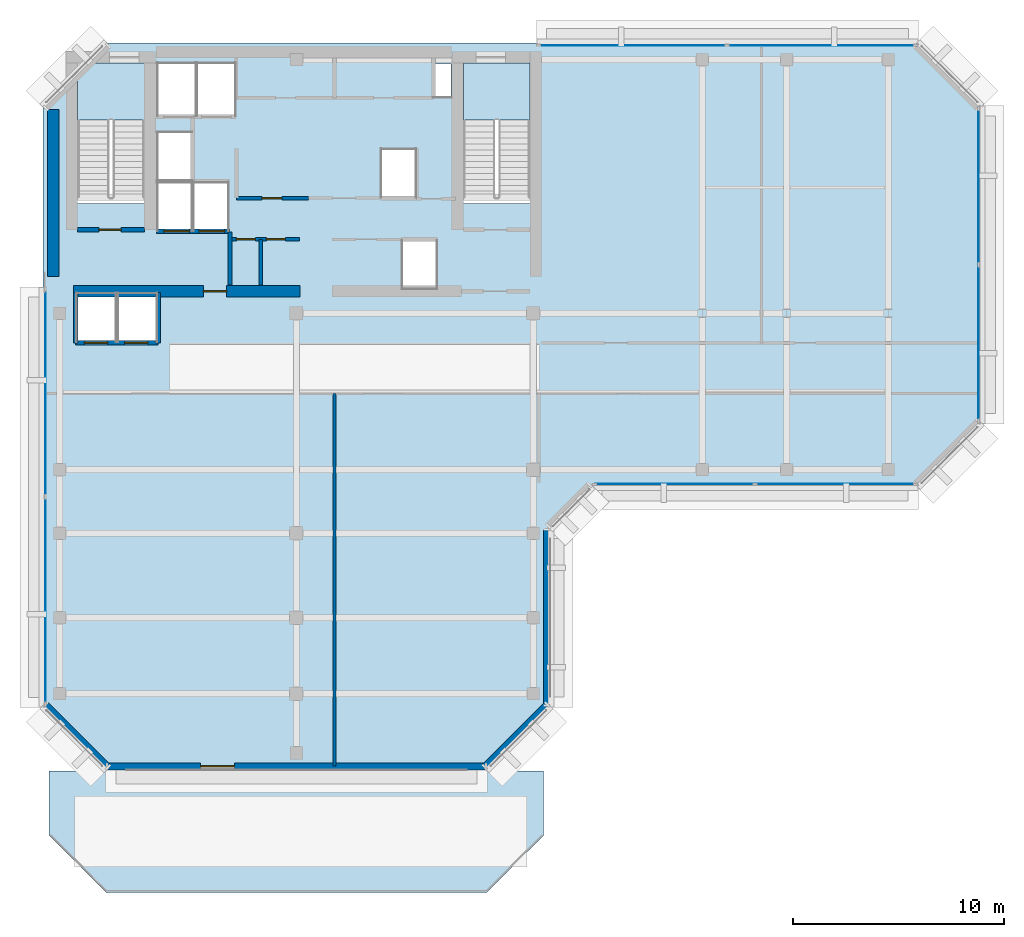
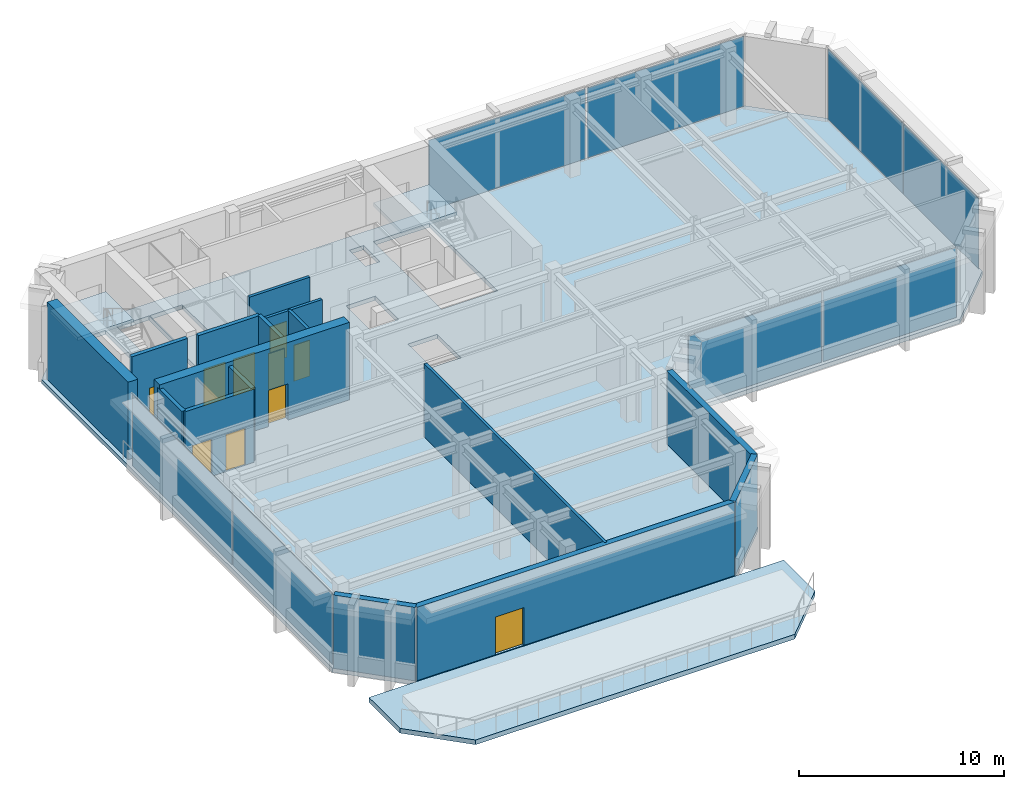
# One storey, part 4 of 11: 16 walls, 10 doors, 8 plates, 4 slabs, 10 openings, 6 elements without a shape of their own.
"""IFC4 building model written with IfcOpenShell, lengths in metres."""

from ifc_helpers import new_model, si_unit, direction, frame, frame_2d, origin, origin_2d, place, context, subcontext, project, spatial, polyline, rectangle, outline, extrude, material, layer, layer_set, type_object, element, fill, aggregate, save


model = new_model("IFC4")

# Units and contexts
model_context = context("Model", 3, precision=1e-05, world=origin(), true_north=direction((0.0, 1.0)))
body_context = subcontext(model_context, "Body", "Model", "MODEL_VIEW")
ifc_project = project(units=[si_unit("LENGTHUNIT", "METRE"), si_unit("AREAUNIT", "SQUARE_METRE"), si_unit("VOLUMEUNIT", "CUBIC_METRE"), si_unit("PLANEANGLEUNIT", "RADIAN"), si_unit("MASSUNIT", "GRAM", prefix="KILO")], contexts=[model_context])

# Site, building, storey
site_placement = place(None, origin())
site = spatial("IfcSite", under=ifc_project, at=site_placement, CompositionType="ELEMENT")
building_placement = place(site_placement, origin())
building = spatial("IfcBuilding", under=site, at=building_placement, Name="Kefirva Bronze Tower", CompositionType="ELEMENT")
storey_placement = place(building_placement, frame((0.0, 0.0, 347.489990234375)))
storey = spatial("IfcBuildingStorey", under=building, at=storey_placement, Name="L85", CompositionType="ELEMENT", Elevation=347.489990234375)

# Slab
ifc_material_1 = material(Name="Concrete C40/50", Category="concrete")
ifc_layer_1 = layer(ifc_material_1, 0.280029296875, Name="Concrete C40/50")
ifc_layer_set_1 = layer_set([ifc_layer_1], Name="Concrete C40/50")
slab_type_1 = type_object("IfcSlabType", Name="RC Setback Sky-Garden Terrace Slab 280mm", PredefinedType="ROOF", material=ifc_layer_set_1)
slab_1_placement = place(storey_placement, frame((0.0, 0.0, -0.280029296875)))
element("IfcSlab", 1, at=slab_1_placement, inside=storey, type_object=slab_type_1, Name="L85 Planted Sky-Garden Terrace Slab", PredefinedType="ROOF", context=body_context, shape_type="SweptSolid", body=[
    extrude(outline(polyline([(3.0, 5.800048828125), (21.0, 5.800048828125), (23.699951171875, 8.5), (23.699951171875, 11.550048828125), (0.300048828125, 11.550048828125), (0.300048828125, 8.5), (3.0, 5.800048828125)])), origin(), (0.0, 0.0, 1.0), 0.280029296875),
])

# Stair, slab
stair_type = type_object("IfcStairType", Name="RC Dogleg Protected Stair 28R", PredefinedType="HALF_TURN_STAIR", material=ifc_material_1)
stair_1_placement = place(storey_placement, origin())
stair_1 = element("IfcStair", 2, at=stair_1_placement, inside=storey, type_object=stair_type, Name="L85 Protected Exit Stair 1", PredefinedType="HALF_TURN_STAIR")
ifc_layer_2 = layer(ifc_material_1, 0.199951171875, Name="Concrete C40/50")
ifc_layer_set_2 = layer_set([ifc_layer_2], Name="Concrete C40/50")
slab_type_2 = type_object("IfcSlabType", Name="RC Stair Landing Slab 200mm", PredefinedType="LANDING", material=ifc_layer_set_2)
slab_2_placement = place(storey_placement, frame((0.0, 0.0, 2.110107421875)))
slab_2 = element("IfcSlab", 3, at=slab_2_placement, type_object=slab_type_2, Name="ST-1 landing 1", PredefinedType="LANDING", context=body_context, shape_type="SweptSolid", body=[
    extrude(outline(polyline([(4.800048828125, 42.340087890625), (4.800048828125, 45.050048828125), (1.64990234375, 45.050048828125), (1.64990234375, 42.340087890625), (4.800048828125, 42.340087890625)])), origin(), (0.0, 0.0, 1.0), 0.199951171875),
])
aggregate(stair_1, [slab_2])

stair_2_placement = place(storey_placement, origin())
stair_2 = element("IfcStair", 4, at=stair_2_placement, inside=storey, type_object=stair_type, Name="L85 Protected Exit Stair 2", PredefinedType="HALF_TURN_STAIR")
slab_3_placement = place(storey_placement, frame((0.0, 0.0, 2.110107421875)))
slab_3 = element("IfcSlab", 5, at=slab_3_placement, type_object=slab_type_2, Name="ST-2 landing 1", PredefinedType="LANDING", context=body_context, shape_type="SweptSolid", body=[
    extrude(outline(polyline([(23.050048828125, 42.340087890625), (23.050048828125, 45.050048828125), (19.89990234375, 45.050048828125), (19.89990234375, 42.340087890625), (23.050048828125, 42.340087890625)])), origin(), (0.0, 0.0, 1.0), 0.199951171875),
])
aggregate(stair_2, [slab_3])

# Slab
ifc_layer_3 = layer(ifc_material_1, 0.25, Name="Concrete C40/50")
ifc_layer_set_3 = layer_set([ifc_layer_3], Name="Concrete C40/50")
slab_type_3 = type_object("IfcSlabType", Name="RC Tower Floor Slab 250mm", PredefinedType="FLOOR", material=ifc_layer_set_3)
slab_4_placement = place(storey_placement, frame((0.0, 0.0, -0.25)))
element("IfcSlab", 6, at=slab_4_placement, inside=storey, type_object=slab_type_3, Name="L85 Structural Floor Slab", PredefinedType="FLOOR", context=body_context, shape_type="SweptSolid", body=[
    extrude(outline(polyline([(0.0, 14.60009765625), (0.0, 43.0), (1.64990234375, 44.64990234375), (1.64990234375, 38.39990234375), (4.800048828125, 38.39990234375), (4.800048828125, 45.050048828125), (2.050048828125, 45.050048828125), (3.0, 46.0), (41.39990234375, 46.0), (44.39990234375, 43.0), (44.39990234375, 28.0), (41.39990234375, 25.0), (26.0, 25.0), (24.0, 23.0), (24.0, 14.60009765625), (21.0, 11.60009765625), (3.0, 11.60009765625), (0.0, 14.60009765625)]), holes=[polyline([(23.050048828125, 45.050048828125), (19.89990234375, 45.050048828125), (19.89990234375, 38.39990234375), (23.050048828125, 38.39990234375), (23.050048828125, 45.050048828125)]), polyline([(19.320068359375, 43.419921875), (19.320068359375, 45.0), (18.52001953125, 45.0), (18.52001953125, 43.419921875), (19.320068359375, 43.419921875)]), polyline([(18.64990234375, 36.64990234375), (17.0, 36.64990234375), (17.0, 34.35009765625), (18.64990234375, 34.35009765625), (18.64990234375, 36.64990234375)]), polyline([(17.64990234375, 38.679931640625), (17.64990234375, 40.97998046875), (16.0, 40.97998046875), (16.0, 38.679931640625), (17.64990234375, 38.679931640625)]), polyline([(9.1201171875, 42.550048828125), (9.1201171875, 45.050048828125), (7.300048828125, 45.050048828125), (7.300048828125, 42.550048828125), (9.1201171875, 42.550048828125)]), polyline([(8.780029296875, 37.10009765625), (8.780029296875, 39.39990234375), (7.139892578125, 39.39990234375), (7.139892578125, 37.10009765625), (8.780029296875, 37.10009765625)]), polyline([(7.239990234375, 42.550048828125), (7.239990234375, 45.050048828125), (5.419921875, 45.050048828125), (5.419921875, 42.550048828125), (7.239990234375, 42.550048828125)]), polyline([(7.06005859375, 37.10009765625), (7.06005859375, 39.39990234375), (5.419921875, 39.39990234375), (5.419921875, 37.10009765625), (7.06005859375, 37.10009765625)]), polyline([(7.06005859375, 41.780029296875), (5.419921875, 41.780029296875), (5.419921875, 39.47998046875), (7.06005859375, 39.47998046875), (7.06005859375, 41.780029296875)]), polyline([(5.39990234375, 31.85009765625), (5.39990234375, 34.14990234375), (3.550048828125, 34.14990234375), (3.550048828125, 31.85009765625), (5.39990234375, 31.85009765625)]), polyline([(3.449951171875, 34.14990234375), (1.60009765625, 34.14990234375), (1.60009765625, 31.85009765625), (3.449951171875, 31.85009765625), (3.449951171875, 34.14990234375)])]), origin(), (0.0, 0.0, 1.0), 0.25),
])

# Curtain wall, plates
ifc_material_2 = material(Name="Bronze anodised aluminium", Category="aluminium")
ifc_layer_4 = layer(ifc_material_2, 0.219970703125, Name="Bronze anodised aluminium")
ifc_layer_set_4 = layer_set([ifc_layer_4], Name="Bronze anodised aluminium")
curtain_wall_type = type_object("IfcCurtainWallType", Name="Slanted Crown Faceted Bronze Curtain Wall", PredefinedType="USERDEFINED", material=ifc_layer_set_4)
curtain_wall_1_placement = place(storey_placement, origin())
curtain_wall_1 = element("IfcCurtainWall", 7, at=curtain_wall_1_placement, inside=storey, type_object=curtain_wall_type, Name="L85 Curtain Wall 1", ObjectType="UNITISED CURTAIN WALL", PredefinedType="USERDEFINED")
ifc_material_3 = material(Name="Laminated low-E double glazing", Category="glass")
ifc_layer_5 = layer(ifc_material_3, 0.031982421875, Name="Laminated low-E double glazing")
ifc_layer_set_5 = layer_set([ifc_layer_5], Name="Laminated low-E double glazing")
plate_type = type_object("IfcPlateType", Name="Solar-Control Low-E Vision Panel 32mm", PredefinedType="CURTAIN_PANEL", material=ifc_layer_set_5)
plate_1_placement = place(storey_placement, frame((29.89990234375, 25.1201171875, 0.090087890625), z_axis=(0.0, 0.0, 1.0), x_axis=(1.0, 0.0, 0.0)))
plate_1 = element("IfcPlate", 8, at=plate_1_placement, type_object=plate_type, Name="CW-07 panel 1.1", PredefinedType="CURTAIN_PANEL", context=body_context, shape_type="SweptSolid", body=[
    extrude(rectangle(XDim=7.510009765625, YDim=0.031982421875, at=origin_2d()), origin(), (0.0, 0.0, 1.0), 4.18994140625),
])
plate_2_placement = place(storey_placement, frame((37.5, 25.1201171875, 0.090087890625), z_axis=(0.0, 0.0, 1.0), x_axis=(1.0, 0.0, 0.0)))
plate_2 = element("IfcPlate", 9, at=plate_2_placement, type_object=plate_type, Name="CW-07 panel 2.1", PredefinedType="CURTAIN_PANEL", context=body_context, shape_type="SweptSolid", body=[
    extrude(rectangle(XDim=7.510009765625, YDim=0.031982421875, at=origin_2d()), origin(), (0.0, 0.0, 1.0), 4.18994140625),
])
aggregate(curtain_wall_1, [plate_1, plate_2])

curtain_wall_2_placement = place(storey_placement, origin())
curtain_wall_2 = element("IfcCurtainWall", 10, at=curtain_wall_2_placement, inside=storey, type_object=curtain_wall_type, Name="L85 Curtain Wall 2", ObjectType="UNITISED CURTAIN WALL", PredefinedType="USERDEFINED")
plate_3_placement = place(storey_placement, frame((44.280029296875, 31.800048828125, 0.090087890625), z_axis=(0.0, 0.0, 1.0), x_axis=(0.0, 1.0, 0.0)))
plate_3 = element("IfcPlate", 11, at=plate_3_placement, type_object=plate_type, Name="CW-07 panel 1.1", PredefinedType="CURTAIN_PANEL", context=body_context, shape_type="SweptSolid", body=[
    extrude(rectangle(XDim=7.31005859375, YDim=0.031982421875, at=origin_2d()), origin(), (0.0, 0.0, 1.0), 4.18994140625),
])
plate_4_placement = place(storey_placement, frame((44.280029296875, 39.199951171875, 0.090087890625), z_axis=(0.0, 0.0, 1.0), x_axis=(0.0, 1.0, 0.0)))
plate_4 = element("IfcPlate", 12, at=plate_4_placement, type_object=plate_type, Name="CW-07 panel 2.1", PredefinedType="CURTAIN_PANEL", context=body_context, shape_type="SweptSolid", body=[
    extrude(rectangle(XDim=7.31005859375, YDim=0.031982421875, at=origin_2d()), origin(), (0.0, 0.0, 1.0), 4.18994140625),
])
aggregate(curtain_wall_2, [plate_3, plate_4])

curtain_wall_3_placement = place(storey_placement, origin())
curtain_wall_3 = element("IfcCurtainWall", 13, at=curtain_wall_3_placement, inside=storey, type_object=curtain_wall_type, Name="L85 Curtain Wall 3", ObjectType="UNITISED CURTAIN WALL", PredefinedType="USERDEFINED")
plate_5_placement = place(storey_placement, frame((36.83740234375, 45.8798828125, 0.090087890625), z_axis=(0.0, 0.0, 1.0), x_axis=(-1.0, 0.0, 0.0)))
plate_5 = element("IfcPlate", 14, at=plate_5_placement, type_object=plate_type, Name="CW-07 panel 1.1", PredefinedType="CURTAIN_PANEL", context=body_context, shape_type="SweptSolid", body=[
    extrude(rectangle(XDim=8.8349609375, YDim=0.031982421875, at=origin_2d()), origin(), (0.0, 0.0, 1.0), 4.18994140625),
])
plate_6_placement = place(storey_placement, frame((27.91259765625, 45.8798828125, 0.090087890625), z_axis=(0.0, 0.0, 1.0), x_axis=(-1.0, 0.0, 0.0)))
plate_6 = element("IfcPlate", 15, at=plate_6_placement, type_object=plate_type, Name="CW-07 panel 2.1", PredefinedType="CURTAIN_PANEL", context=body_context, shape_type="SweptSolid", body=[
    extrude(rectangle(XDim=8.8349609375, YDim=0.031982421875, at=origin_2d()), origin(), (0.0, 0.0, 1.0), 4.18994140625),
])
aggregate(curtain_wall_3, [plate_5, plate_6])

curtain_wall_4_placement = place(storey_placement, origin())
curtain_wall_4 = element("IfcCurtainWall", 16, at=curtain_wall_4_placement, inside=storey, type_object=curtain_wall_type, Name="L85 Curtain Wall 4", ObjectType="UNITISED CURTAIN WALL", PredefinedType="USERDEFINED")
plate_7_placement = place(storey_placement, frame((0.1201171875, 29.4375, 0.090087890625), z_axis=(0.0, 0.0, 1.0), x_axis=(0.0, -1.0, 0.0)))
plate_7 = element("IfcPlate", 17, at=plate_7_placement, type_object=plate_type, Name="CW-07 panel 1.1", PredefinedType="CURTAIN_PANEL", context=body_context, shape_type="SweptSolid", body=[
    extrude(rectangle(XDim=9.735107421875, YDim=0.031982421875, at=origin_2d()), origin(), (0.0, 0.0, 1.0), 4.18994140625),
])
plate_8_placement = place(storey_placement, frame((0.1201171875, 19.612548828125, 0.090087890625), z_axis=(0.0, 0.0, 1.0), x_axis=(0.0, -1.0, 0.0)))
plate_8 = element("IfcPlate", 18, at=plate_8_placement, type_object=plate_type, Name="CW-07 panel 2.1", PredefinedType="CURTAIN_PANEL", context=body_context, shape_type="SweptSolid", body=[
    extrude(rectangle(XDim=9.735107421875, YDim=0.031982421875, at=origin_2d()), origin(), (0.0, 0.0, 1.0), 4.18994140625),
])
aggregate(curtain_wall_4, [plate_7, plate_8])

# Wall
ifc_material_4 = material(Name="Gypsum acoustic partition")
ifc_layer_6 = layer(ifc_material_4, 0.14990234375, Name="Gypsum acoustic partition")
ifc_layer_set_6 = layer_set([ifc_layer_6], Name="Gypsum acoustic partition")
wall_type_1 = type_object("IfcWallType", Name="Executive Suite Partition 150mm", PredefinedType="PARTITIONING", material=ifc_layer_set_6)
wall_1_placement = place(storey_placement, frame((13.800048828125, 11.7900390625, 0.0), z_axis=(0.0, 0.0, 1.0), x_axis=(0.0, 1.0, 0.0)))
element("IfcWall", 19, at=wall_1_placement, inside=storey, type_object=wall_type_1, Name="L85 Partition W-L85-LKD1", PredefinedType="PARTITIONING", context=body_context, shape_type="SweptSolid", body=[
    extrude(rectangle(XDim=17.60986328125, YDim=0.14990234375, at=frame_2d((8.804931640625, 0.0))), origin(), (0.0, 0.0, 1.0), 4.3701171875),
])

# Wall, opening, door
ifc_material_5 = material(Name="Gypsum fireboard shaftwall")
ifc_layer_7 = layer(ifc_material_5, 0.219970703125, Name="Gypsum fireboard shaftwall")
ifc_layer_set_7 = layer_set([ifc_layer_7], Name="Gypsum fireboard shaftwall")
wall_type_2 = type_object("IfcWallType", Name="Fire-Rated Shaft Enclosure Wall 220mm", PredefinedType="PARTITIONING", material=ifc_layer_set_7)
wall_2_placement = place(storey_placement, frame((1.64990234375, 37.14990234375, 0.0), z_axis=(0.0, 0.0, 1.0), x_axis=(1.0, 0.0, 0.0)))
wall_2 = element("IfcWall", 20, at=wall_2_placement, inside=storey, type_object=wall_type_2, Name="L85 Partition W-L85-ST1S", PredefinedType="PARTITIONING", context=body_context, shape_type="SweptSolid", body=[
    extrude(rectangle(XDim=3.150146484375, YDim=0.219970703125, at=frame_2d((1.5751953125, 0.0))), origin(), (0.0, 0.0, 1.0), 4.3701171875),
])
opening_1_placement = place(wall_2_placement, frame((2.050048828125, 0.0, 0.0), z_axis=(0.0, 0.0, 1.0), x_axis=(-1.0, 0.0, 0.0)))
opening_1 = element("IfcOpeningElement", 21, at=opening_1_placement, cuts=wall_2, Name="Opening L85-D001", PredefinedType="OPENING", context=body_context, shape_type="SweptSolid", body=[
    extrude(rectangle(XDim=1.050048828125, YDim=2.14990234375, at=frame_2d((0.52490234375, 1.074951171875))), frame((0.0, 0.1201171875, 0.0), z_axis=(0.0, -1.0, 0.0), x_axis=(1.0, 0.0, 0.0)), (0.0, 0.0, 1.0), 0.239990234375),
])
ifc_material_6 = material(Name="Painted galvanized steel", Category="steel")
door_type_1 = type_object("IfcDoorType", Name="Fire Stair Enclosure Door 1050x2150 FD90S", OperationType="NOTDEFINED", PredefinedType="DOOR", material=ifc_material_6)
door_1_placement = place(opening_1_placement, origin())
door_1 = element("IfcDoor", 22, at=door_1_placement, inside=storey, type_object=door_type_1, Name="Door L85-D001", OperationType="SINGLE_SWING_LEFT", OverallHeight=2.14990234375, OverallWidth=1.050048828125, PredefinedType="DOOR", context=body_context, shape_type="SweptSolid", body=[
    extrude(rectangle(XDim=1.050048828125, YDim=2.14990234375, at=frame_2d((0.52490234375, 1.074951171875))), frame((0.0, 0.02490234375, 0.0), z_axis=(0.0, -1.0, 0.0), x_axis=(1.0, 0.0, 0.0)), (0.0, 0.0, 1.0), 0.050048828125),
])
fill(opening_1, door_1)

# Wall, openings, doors
wall_3_placement = place(storey_placement, frame((5.3798828125, 37.080078125, 0.0), z_axis=(0.0, 0.0, 1.0), x_axis=(1.0, 0.0, 0.0)))
wall_3 = element("IfcWall", 23, at=wall_3_placement, inside=storey, type_object=wall_type_2, Name="L85 Partition W-L85-FFS", PredefinedType="PARTITIONING", context=body_context, shape_type="SweptSolid", body=[
    extrude(rectangle(XDim=3.460205078125, YDim=0.219970703125, at=frame_2d((1.72998046875, 0.0))), origin(), (0.0, 0.0, 1.0), 4.3701171875),
])
opening_2_placement = place(wall_3_placement, frame((1.550048828125, 0.0, 0.0), z_axis=(0.0, 0.0, 1.0), x_axis=(-1.0, 0.0, 0.0)))
opening_2 = element("IfcOpeningElement", 24, at=opening_2_placement, cuts=wall_3, Name="Opening L85-LD-FF1", PredefinedType="OPENING", context=body_context, shape_type="SweptSolid", body=[
    extrude(rectangle(XDim=1.199951171875, YDim=2.199951171875, at=frame_2d((0.60009765625, 1.10009765625))), frame((0.0, 0.1201171875, 0.0), z_axis=(0.0, -1.0, 0.0), x_axis=(1.0, 0.0, 0.0)), (0.0, 0.0, 1.0), 0.239990234375),
])
opening_3_placement = place(wall_3_placement, frame((3.219970703125, 0.0, 0.0), z_axis=(0.0, 0.0, 1.0), x_axis=(-1.0, 0.0, 0.0)))
opening_3 = element("IfcOpeningElement", 25, at=opening_3_placement, cuts=wall_3, Name="Opening L85-LD-FF2", PredefinedType="OPENING", context=body_context, shape_type="SweptSolid", body=[
    extrude(rectangle(XDim=1.199951171875, YDim=2.199951171875, at=frame_2d((0.60009765625, 1.10009765625))), frame((0.0, 0.1201171875, 0.0), z_axis=(0.0, -1.0, 0.0), x_axis=(1.0, 0.0, 0.0)), (0.0, 0.0, 1.0), 0.239990234375),
])
ifc_material_7 = material(Name="Stainless steel 316", Category="steel")
door_type_2 = type_object("IfcDoorType", Name="Firefighting Lift Sliding Door 1200x2200", OperationType="SLIDING_TO_RIGHT", PredefinedType="DOOR", material=ifc_material_7)
door_2_placement = place(opening_2_placement, origin())
door_2 = element("IfcDoor", 26, at=door_2_placement, inside=storey, type_object=door_type_2, Name="Door L85-LD-FF1", OperationType="SLIDING_TO_RIGHT", OverallHeight=2.199951171875, OverallWidth=1.199951171875, PredefinedType="DOOR", context=body_context, shape_type="SweptSolid", body=[
    extrude(rectangle(XDim=1.199951171875, YDim=2.199951171875, at=frame_2d((0.60009765625, 1.10009765625))), frame((0.0, 0.02490234375, 0.0), z_axis=(0.0, -1.0, 0.0), x_axis=(1.0, 0.0, 0.0)), (0.0, 0.0, 1.0), 0.050048828125),
])
fill(opening_2, door_2)
door_3_placement = place(opening_3_placement, origin())
door_3 = element("IfcDoor", 27, at=door_3_placement, inside=storey, type_object=door_type_2, Name="Door L85-LD-FF2", OperationType="SLIDING_TO_RIGHT", OverallHeight=2.199951171875, OverallWidth=1.199951171875, PredefinedType="DOOR", context=body_context, shape_type="SweptSolid", body=[
    extrude(rectangle(XDim=1.199951171875, YDim=2.199951171875, at=frame_2d((0.60009765625, 1.10009765625))), frame((0.0, 0.02490234375, 0.0), z_axis=(0.0, -1.0, 0.0), x_axis=(1.0, 0.0, 0.0)), (0.0, 0.0, 1.0), 0.050048828125),
])
fill(opening_3, door_3)

wall_4_placement = place(storey_placement, frame((1.550048828125, 31.800048828125, 0.0), z_axis=(0.0, 0.0, 1.0), x_axis=(1.0, 0.0, 0.0)))
wall_4 = element("IfcWall", 28, at=wall_4_placement, inside=storey, type_object=wall_type_2, Name="L85 Partition W-L85-OBS", PredefinedType="PARTITIONING", context=body_context, shape_type="SweptSolid", body=[
    extrude(rectangle(XDim=3.89990234375, YDim=0.219970703125, at=frame_2d((1.949951171875, 0.0))), origin(), (0.0, 0.0, 1.0), 4.3701171875),
])
opening_4_placement = place(wall_4_placement, frame((1.52001953125, 0.0, 0.0), z_axis=(0.0, 0.0, 1.0), x_axis=(-1.0, 0.0, 0.0)))
opening_4 = element("IfcOpeningElement", 29, at=opening_4_placement, cuts=wall_4, Name="Opening L85-LD-OB1", PredefinedType="OPENING", context=body_context, shape_type="SweptSolid", body=[
    extrude(rectangle(XDim=1.10009765625, YDim=2.199951171875, at=frame_2d((0.550048828125, 1.10009765625))), frame((0.0, 0.1201171875, 0.0), z_axis=(0.0, -1.0, 0.0), x_axis=(1.0, 0.0, 0.0)), (0.0, 0.0, 1.0), 0.239990234375),
])
opening_5_placement = place(wall_4_placement, frame((3.420166015625, 0.0, 0.0), z_axis=(0.0, 0.0, 1.0), x_axis=(-1.0, 0.0, 0.0)))
opening_5 = element("IfcOpeningElement", 30, at=opening_5_placement, cuts=wall_4, Name="Opening L85-LD-OB2", PredefinedType="OPENING", context=body_context, shape_type="SweptSolid", body=[
    extrude(rectangle(XDim=1.10009765625, YDim=2.199951171875, at=frame_2d((0.550048828125, 1.10009765625))), frame((0.0, 0.1201171875, 0.0), z_axis=(0.0, -1.0, 0.0), x_axis=(1.0, 0.0, 0.0)), (0.0, 0.0, 1.0), 0.239990234375),
])
door_type_3 = type_object("IfcDoorType", Name="Passenger Lift Sliding Landing Door 1100x2200", OperationType="SLIDING_TO_LEFT", PredefinedType="DOOR", material=ifc_material_7)
door_4_placement = place(opening_4_placement, origin())
door_4 = element("IfcDoor", 31, at=door_4_placement, inside=storey, type_object=door_type_3, Name="Door L85-LD-OB1", OperationType="SLIDING_TO_LEFT", OverallHeight=2.199951171875, OverallWidth=1.10009765625, PredefinedType="DOOR", context=body_context, shape_type="SweptSolid", body=[
    extrude(rectangle(XDim=1.10009765625, YDim=2.199951171875, at=frame_2d((0.550048828125, 1.10009765625))), frame((0.0, 0.02490234375, 0.0), z_axis=(0.0, -1.0, 0.0), x_axis=(1.0, 0.0, 0.0)), (0.0, 0.0, 1.0), 0.050048828125),
])
fill(opening_4, door_4)
door_5_placement = place(opening_5_placement, origin())
door_5 = element("IfcDoor", 32, at=door_5_placement, inside=storey, type_object=door_type_3, Name="Door L85-LD-OB2", OperationType="SLIDING_TO_LEFT", OverallHeight=2.199951171875, OverallWidth=1.10009765625, PredefinedType="DOOR", context=body_context, shape_type="SweptSolid", body=[
    extrude(rectangle(XDim=1.10009765625, YDim=2.199951171875, at=frame_2d((0.550048828125, 1.10009765625))), frame((0.0, 0.02490234375, 0.0), z_axis=(0.0, -1.0, 0.0), x_axis=(1.0, 0.0, 0.0)), (0.0, 0.0, 1.0), 0.050048828125),
])
fill(opening_5, door_5)

# Walls
for number, where, z_axis, x_axis, name in (
    (33, (1.550048828125, 31.800048828125, 0.0), (0.0, 0.0, 1.0), (0.0, 1.0, 0.0), "L85 Partition W-L85-OBW"),
    (34, (5.449951171875, 31.800048828125, 0.0), (0.0, 0.0, 1.0), (0.0, 1.0, 0.0), "L85 Partition W-L85-OBE"),
):
    element("IfcWall", number, at=place(storey_placement, frame(where, z_axis=z_axis, x_axis=x_axis)), inside=storey, type_object=wall_type_2, Name=name, PredefinedType="PARTITIONING", context=body_context, shape_type="SweptSolid", body=[
        extrude(rectangle(XDim=2.3798828125, YDim=0.219970703125, at=frame_2d((1.18994140625, 0.0))), origin(), (0.0, 0.0, 1.0), 4.3701171875),
    ])
ifc_material_8 = material(Name="Gypsum fireboard barrier")
ifc_layer_8 = layer(ifc_material_8, 0.199951171875, Name="Gypsum fireboard barrier")
ifc_layer_set_8 = layer_set([ifc_layer_8], Name="Gypsum fireboard barrier")
wall_type_3 = type_object("IfcWallType", Name="Firefighting Lobby Barrier Wall 200mm", PredefinedType="PARTITIONING", material=ifc_layer_set_8)
wall_5_placement = place(storey_placement, frame((8.860107421875, 34.550048828125, 0.0), z_axis=(0.0, 0.0, 1.0), x_axis=(0.0, 1.0, 0.0)))
element("IfcWall", 35, at=wall_5_placement, inside=storey, type_object=wall_type_3, Name="L85 Partition W-L85-FFLE", PredefinedType="PARTITIONING", context=body_context, shape_type="SweptSolid", body=[
    extrude(rectangle(XDim=2.5, YDim=0.199951171875, at=frame_2d((1.25, 0.0))), origin(), (0.0, 0.0, 1.0), 4.3701171875),
])

# Wall, opening, door
ifc_material_9 = material(Name="Precast concrete C40/50", Category="concrete")
ifc_layer_9 = layer(ifc_material_9, 0.320068359375, Name="Precast concrete C40/50")
ifc_layer_set_9 = layer_set([ifc_layer_9], Name="Precast concrete C40/50")
wall_type_4 = type_object("IfcWallType", Name="Precast Insulated Exterior Wall 320mm", PredefinedType="SOLIDWALL", material=ifc_layer_set_9)
wall_6_placement = place(storey_placement, frame((3.054931640625, 11.760009765625, 0.0), z_axis=(0.0, 0.0, 1.0), x_axis=(1.0, 0.0, 0.0)))
wall_6 = element("IfcWall", 36, at=wall_6_placement, inside=storey, type_object=wall_type_4, Name="L85 Exterior Facade Wall 1", PredefinedType="SOLIDWALL", context=body_context, shape_type="SweptSolid", body=[
    extrude(rectangle(XDim=17.89013671875, YDim=0.320068359375, at=frame_2d((8.945068359375, 0.0))), origin(), (0.0, 0.0, 1.0), 4.3701171875),
])
opening_6_placement = place(wall_6_placement, frame((6.00927734375, 0.0, 0.0), z_axis=(0.0, 0.0, 1.0), x_axis=(-1.0, 0.0, 0.0)))
opening_6 = element("IfcOpeningElement", 37, at=opening_6_placement, cuts=wall_6, Name="Opening D-TR2", PredefinedType="OPENING", context=body_context, shape_type="SweptSolid", body=[
    extrude(rectangle(XDim=1.60009765625, YDim=2.25, at=frame_2d((0.800048828125, 1.125))), frame((0.0, 0.169921875, 0.0), z_axis=(0.0, -1.0, 0.0), x_axis=(1.0, 0.0, 0.0)), (0.0, 0.0, 1.0), 0.340087890625),
])
door_type_4 = type_object("IfcDoorType", Name="Exterior Lookout Loggia Double Door 1600x2250", OperationType="DOUBLE_DOOR_SINGLE_SWING", PredefinedType="DOOR", material=ifc_material_2)
door_6_placement = place(opening_6_placement, origin())
door_6 = element("IfcDoor", 38, at=door_6_placement, inside=storey, type_object=door_type_4, Name="L85 Sky-Garden Terrace Access Door", OperationType="DOUBLE_DOOR_SINGLE_SWING", OverallHeight=2.25, OverallWidth=1.60009765625, PredefinedType="DOOR", context=body_context, shape_type="SweptSolid", body=[
    extrude(rectangle(XDim=1.60009765625, YDim=2.25, at=frame_2d((0.800048828125, 1.125))), frame((0.0, 0.02490234375, 0.0), z_axis=(0.0, -1.0, 0.0), x_axis=(1.0, 0.0, 0.0)), (0.0, 0.0, 1.0), 0.050048828125),
])
fill(opening_6, door_6)

# Walls
wall_7_placement = place(storey_placement, frame((20.92578125, 11.751953125, 0.0), z_axis=(0.0, 0.0, 1.0), x_axis=(0.707077242712, 0.707136318428, 0.0)))
element("IfcWall", 39, at=wall_7_placement, inside=storey, type_object=wall_type_4, Name="L85 Exterior Facade Wall 2", PredefinedType="SOLIDWALL", context=body_context, shape_type="SweptSolid", body=[
    extrude(rectangle(XDim=4.132568359375, YDim=0.320068359375, at=frame_2d((2.06640625, 0.0))), origin(), (0.0, 0.0, 1.0), 4.3701171875),
])
wall_8_placement = place(storey_placement, frame((23.840087890625, 14.655029296875, 0.0), z_axis=(0.0, 0.0, 1.0), x_axis=(0.0, 1.0, 0.0)))
element("IfcWall", 40, at=wall_8_placement, inside=storey, type_object=wall_type_4, Name="L85 Exterior Facade Wall 3", PredefinedType="SOLIDWALL", context=body_context, shape_type="SweptSolid", body=[
    extrude(rectangle(XDim=8.2900390625, YDim=0.320068359375, at=frame_2d((4.14501953125, 0.0))), origin(), (0.0, 0.0, 1.0), 4.3701171875),
])
wall_9_placement = place(storey_placement, frame((0.152099609375, 14.67431640625, 0.0), z_axis=(0.0, 0.0, 1.0), x_axis=(0.707077242712, -0.707136318428, 0.0)))
element("IfcWall", 41, at=wall_9_placement, inside=storey, type_object=wall_type_4, Name="L85 Exterior Facade Wall 8", PredefinedType="SOLIDWALL", context=body_context, shape_type="SweptSolid", body=[
    extrude(rectangle(XDim=4.132568359375, YDim=0.320068359375, at=frame_2d((2.06640625, 0.0))), origin(), (0.0, 0.0, 1.0), 4.3701171875),
])

# Wall, openings, doors
ifc_layer_10 = layer(ifc_material_4, 0.159912109375, Name="Gypsum acoustic partition")
ifc_layer_set_10 = layer_set([ifc_layer_10], Name="Gypsum acoustic partition")
wall_type_5 = type_object("IfcWallType", Name="Protected Corridor Partition 160mm", PredefinedType="PARTITIONING", material=ifc_layer_set_10)
wall_10_placement = place(storey_placement, frame((8.89990234375, 36.699951171875, 0.0), z_axis=(0.0, 0.0, 1.0), x_axis=(1.0, 0.0, 0.0)))
wall_10 = element("IfcWall", 42, at=wall_10_placement, inside=storey, type_object=wall_type_5, Name="L85 Partition W-L85-RECLP1", PredefinedType="PARTITIONING", context=body_context, shape_type="SweptSolid", body=[
    extrude(rectangle(XDim=3.25, YDim=0.159912109375, at=frame_2d((1.625, 0.0))), origin(), (0.0, 0.0, 1.0), 4.3701171875),
])
opening_7_placement = place(wall_10_placement, frame((0.260009765625, 0.0, 0.0)))
opening_7 = element("IfcOpeningElement", 43, at=opening_7_placement, cuts=wall_10, Name="Opening L85-D-RECLP1A", PredefinedType="OPENING", context=body_context, shape_type="SweptSolid", body=[
    extrude(rectangle(XDim=0.89990234375, YDim=2.14990234375, at=frame_2d((0.449951171875, 1.074951171875))), frame((0.0, 0.08984375, 0.0), z_axis=(0.0, -1.0, 0.0), x_axis=(1.0, 0.0, 0.0)), (0.0, 0.0, 1.0), 0.179931640625),
])
opening_8_placement = place(wall_10_placement, frame((1.679931640625, 0.0, 0.0)))
opening_8 = element("IfcOpeningElement", 44, at=opening_8_placement, cuts=wall_10, Name="Opening L85-D-RECLP1B", PredefinedType="OPENING", context=body_context, shape_type="SweptSolid", body=[
    extrude(rectangle(XDim=0.89990234375, YDim=2.14990234375, at=frame_2d((0.449951171875, 1.074951171875))), frame((0.0, 0.08984375, 0.0), z_axis=(0.0, -1.0, 0.0), x_axis=(1.0, 0.0, 0.0)), (0.0, 0.0, 1.0), 0.179931640625),
])
door_type_5 = type_object("IfcDoorType", Name="Core Archive & Server Fire Door 900x2150 FD60S", OperationType="NOTDEFINED", PredefinedType="DOOR", material=ifc_material_6)
door_7_placement = place(opening_7_placement, origin())
door_7 = element("IfcDoor", 45, at=door_7_placement, inside=storey, type_object=door_type_5, Name="Door L85-D-RECLP1A", OperationType="SINGLE_SWING_RIGHT", OverallHeight=2.14990234375, OverallWidth=0.89990234375, PredefinedType="DOOR", context=body_context, shape_type="SweptSolid", body=[
    extrude(rectangle(XDim=0.89990234375, YDim=2.14990234375, at=frame_2d((0.449951171875, 1.074951171875))), frame((0.0, 0.02490234375, 0.0), z_axis=(0.0, -1.0, 0.0), x_axis=(1.0, 0.0, 0.0)), (0.0, 0.0, 1.0), 0.050048828125),
])
fill(opening_7, door_7)
door_8_placement = place(opening_8_placement, origin())
door_8 = element("IfcDoor", 46, at=door_8_placement, inside=storey, type_object=door_type_5, Name="Door L85-D-RECLP1B", OperationType="SINGLE_SWING_LEFT", OverallHeight=2.14990234375, OverallWidth=0.89990234375, PredefinedType="DOOR", context=body_context, shape_type="SweptSolid", body=[
    extrude(rectangle(XDim=0.89990234375, YDim=2.14990234375, at=frame_2d((0.449951171875, 1.074951171875))), frame((0.0, 0.02490234375, 0.0), z_axis=(0.0, -1.0, 0.0), x_axis=(1.0, 0.0, 0.0)), (0.0, 0.0, 1.0), 0.050048828125),
])
fill(opening_8, door_8)

# Wall
wall_11_placement = place(storey_placement, frame((10.320068359375, 34.550048828125, 0.0), z_axis=(0.0, 0.0, 1.0), x_axis=(0.0, 1.0, 0.0)))
element("IfcWall", 47, at=wall_11_placement, inside=storey, type_object=wall_type_5, Name="L85 Partition W-L85-RECLP1D", PredefinedType="PARTITIONING", context=body_context, shape_type="SweptSolid", body=[
    extrude(rectangle(XDim=2.14990234375, YDim=0.159912109375, at=frame_2d((1.074951171875, 0.0))), origin(), (0.0, 0.0, 1.0), 4.3701171875),
])

# Wall, opening, door
wall_12_placement = place(storey_placement, frame((9.159912109375, 38.64990234375, 0.0), z_axis=(0.0, 0.0, 1.0), x_axis=(1.0, 0.0, 0.0)))
wall_12 = element("IfcWall", 48, at=wall_12_placement, inside=storey, type_object=wall_type_5, Name="L85 Partition W-L85-RECLP2", PredefinedType="PARTITIONING", context=body_context, shape_type="SweptSolid", body=[
    extrude(rectangle(XDim=3.420166015625, YDim=0.159912109375, at=frame_2d((1.7099609375, 0.0))), origin(), (0.0, 0.0, 1.0), 4.3701171875),
])
opening_9_placement = place(wall_12_placement, frame((2.14990234375, 0.0, 0.0), z_axis=(0.0, 0.0, 1.0), x_axis=(-1.0, 0.0, 0.0)))
opening_9 = element("IfcOpeningElement", 49, at=opening_9_placement, cuts=wall_12, Name="Opening L85-D-RECLP2", PredefinedType="OPENING", context=body_context, shape_type="SweptSolid", body=[
    extrude(rectangle(XDim=0.949951171875, YDim=2.14990234375, at=frame_2d((0.47509765625, 1.074951171875))), frame((0.0, 0.08984375, 0.0), z_axis=(0.0, -1.0, 0.0), x_axis=(1.0, 0.0, 0.0)), (0.0, 0.0, 1.0), 0.179931640625),
])
ifc_material_10 = material(Name="Acoustic hardwood oak", Category="wood")
door_type_6 = type_object("IfcDoorType", Name="Office & Meeting Room Door 950x2150", OperationType="NOTDEFINED", PredefinedType="DOOR", material=ifc_material_10)
door_9_placement = place(opening_9_placement, origin())
door_9 = element("IfcDoor", 50, at=door_9_placement, inside=storey, type_object=door_type_6, Name="Door L85-D-RECLP2", OperationType="SINGLE_SWING_RIGHT", OverallHeight=2.14990234375, OverallWidth=0.949951171875, PredefinedType="DOOR", context=body_context, shape_type="SweptSolid", body=[
    extrude(rectangle(XDim=0.949951171875, YDim=2.14990234375, at=frame_2d((0.47509765625, 1.074951171875))), frame((0.0, 0.02490234375, 0.0), z_axis=(0.0, -1.0, 0.0), x_axis=(1.0, 0.0, 0.0)), (0.0, 0.0, 1.0), 0.050048828125),
])
fill(opening_9, door_9)

# Wall
ifc_material_11 = material(Name="Concrete C50/60", Category="concrete")
ifc_layer_11 = layer(ifc_material_11, 0.550048828125, Name="Concrete C50/60")
ifc_layer_set_11 = layer_set([ifc_layer_11], Name="Concrete C50/60")
wall_type_6 = type_object("IfcWallType", Name="RC Rear Core Exterior Wall 550mm", PredefinedType="SHEAR", material=ifc_layer_set_11)
wall_13_placement = place(storey_placement, frame((0.5, 34.949951171875, 0.0), z_axis=(0.0, 0.0, 1.0), x_axis=(0.0, 1.0, 0.0)))
element("IfcWall", 51, at=wall_13_placement, inside=storey, type_object=wall_type_6, Name="L85 Rear Core West Shear Wall", PredefinedType="SHEAR", context=body_context, shape_type="SweptSolid", body=[
    extrude(rectangle(XDim=7.900146484375, YDim=0.550048828125, at=frame_2d((3.9501953125, 0.0))), origin(), (0.0, 0.0, 1.0), 4.6201171875),
])

# Wall, opening, door
ifc_layer_12 = layer(ifc_material_11, 0.550048828125, Name="Concrete C50/60")
ifc_layer_set_12 = layer_set([ifc_layer_12], Name="Concrete C50/60")
wall_type_7 = type_object("IfcWallType", Name="RC Rear Core Interior Wall 550mm", PredefinedType="SHEAR", material=ifc_layer_set_12)
wall_14_placement = place(storey_placement, frame((1.449951171875, 34.25, 0.0), z_axis=(0.0, 0.0, 1.0), x_axis=(1.0, 0.0, 0.0)))
wall_14 = element("IfcWall", 52, at=wall_14_placement, inside=storey, type_object=wall_type_7, Name="L85 Rear Core South-West Shear Wall", PredefinedType="SHEAR", context=body_context, shape_type="SweptSolid", body=[
    extrude(rectangle(XDim=10.7099609375, YDim=0.550048828125, at=frame_2d((5.35498046875, 0.0))), origin(), (0.0, 0.0, 1.0), 4.6201171875),
])
opening_10_placement = place(wall_14_placement, frame((7.25, 0.0, 0.0), z_axis=(0.0, 0.0, 1.0), x_axis=(-1.0, 0.0, 0.0)))
opening_10 = element("IfcOpeningElement", 53, at=opening_10_placement, cuts=wall_14, Name="Opening L85-D002", PredefinedType="OPENING", context=body_context, shape_type="SweptSolid", body=[
    extrude(rectangle(XDim=1.10009765625, YDim=2.14990234375, at=frame_2d((0.550048828125, 1.074951171875))), frame((0.0, 0.28515625, 0.0), z_axis=(0.0, -1.0, 0.0), x_axis=(1.0, 0.0, 0.0)), (0.0, 0.0, 1.0), 0.570068359375),
])
door_type_7 = type_object("IfcDoorType", Name="Firefighting Lobby Smoke Door 1100x2150 FD60S", OperationType="NOTDEFINED", PredefinedType="DOOR", material=ifc_material_6)
door_10_placement = place(opening_10_placement, origin())
door_10 = element("IfcDoor", 54, at=door_10_placement, inside=storey, type_object=door_type_7, Name="Door L85-D002", OperationType="SINGLE_SWING_RIGHT", OverallHeight=2.14990234375, OverallWidth=1.10009765625, PredefinedType="DOOR", context=body_context, shape_type="SweptSolid", body=[
    extrude(rectangle(XDim=1.10009765625, YDim=2.14990234375, at=frame_2d((0.550048828125, 1.074951171875))), frame((0.0, 0.02490234375, 0.0), z_axis=(0.0, -1.0, 0.0), x_axis=(1.0, 0.0, 0.0)), (0.0, 0.0, 1.0), 0.050048828125),
])
fill(opening_10, door_10)

save(model, "model.ifc")
